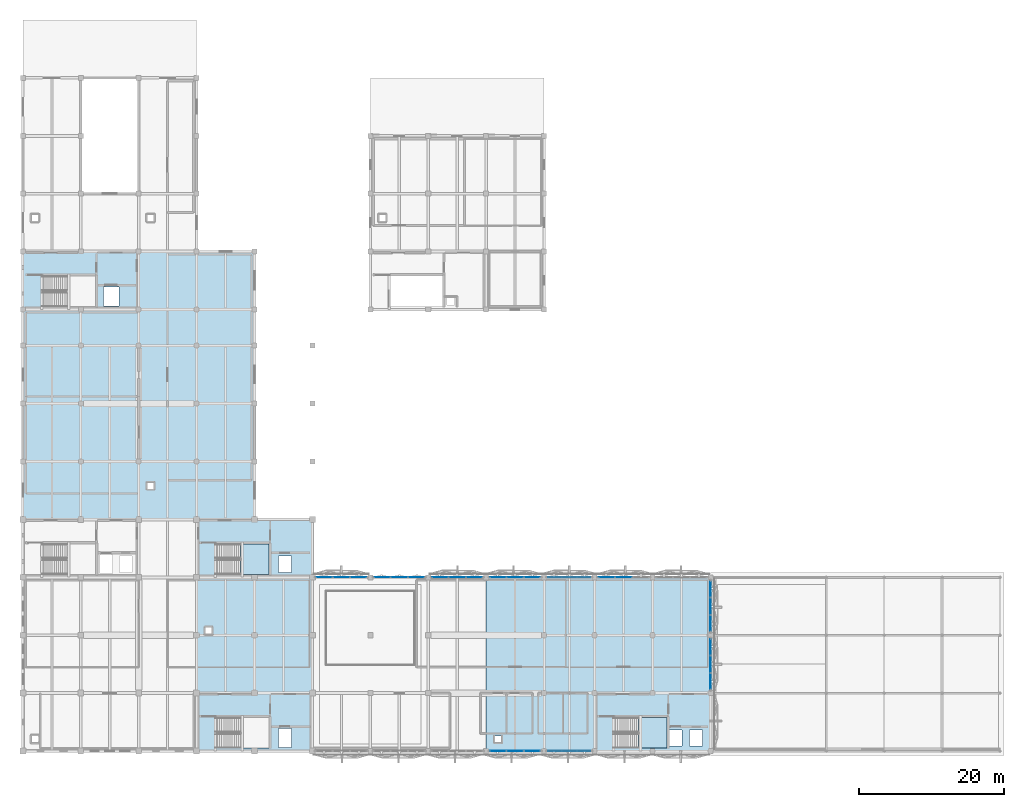
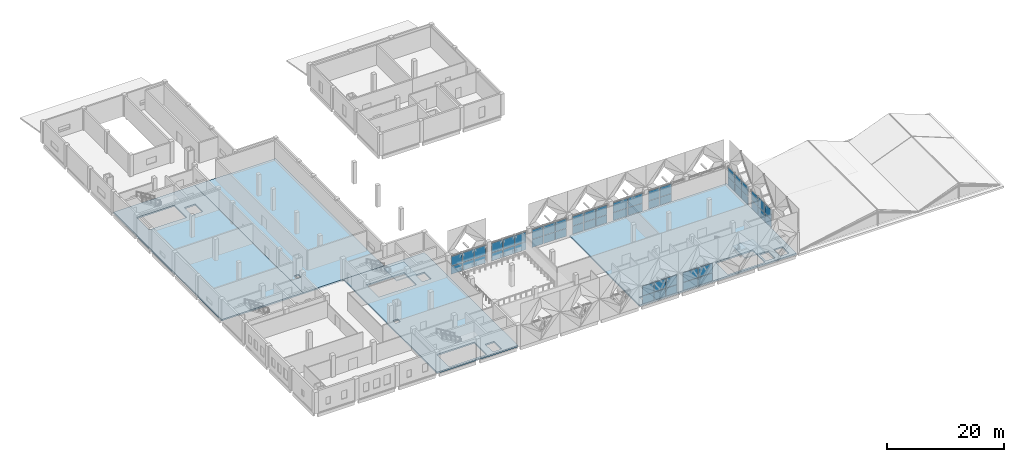
# One storey, part 18 of 37: 54 plates, 6 slabs, 12 elements without a shape of their own.
"""IFC4 building model written with IfcOpenShell, lengths in metres."""

import ifcopenshell
import ifcopenshell.guid

model = None  # the IFC model being written
_history = None  # IfcOwnerHistory: only IFC2X3 demands one
_inside = {}  # id of a spatial element -> (the spatial element, [elements in it])
_under = {}  # id of a project, library or spatial element -> (it, [spatial elements below it])
_declared = {}  # id of a project -> (the project, [libraries it declares])
_typed = {}  # id of a type object -> (the type object, [elements of that type])
_made_of = {}  # id of a material, layer set ... -> (it, [elements and type objects made of it])


def new_model(schema):
    """Start an empty IFC model of exactly this schema.

    Asked for "IFC4X3", IfcOpenShell would pick the latest addendum, in which some entities
    have other attributes; the version numbers below select the first issue.
    IFC2X3 requires an IfcOwnerHistory on every rooted entity: one is made here for all.
    """
    global model, _history
    if schema == "IFC4X3":
        model = ifcopenshell.file(schema_version=(4, 3, 0, 0))
    else:
        model = ifcopenshell.file(schema=schema)
    _inside.clear()
    _under.clear()
    _declared.clear()
    _typed.clear()
    _made_of.clear()
    _history = None
    if model.schema == "IFC2X3":
        org = make("IfcOrganization", Name="unknown")
        user = make(
            "IfcPersonAndOrganization",
            ThePerson=make("IfcPerson", FamilyName="unknown"),
            TheOrganization=org,
        )
        app = make(
            "IfcApplication",
            ApplicationDeveloper=org,
            Version="unknown",
            ApplicationFullName="unknown",
            ApplicationIdentifier="unknown",
        )
        _history = make(
            "IfcOwnerHistory",
            OwningUser=user,
            OwningApplication=app,
            ChangeAction="ADDED",
            CreationDate=0,
        )
    return model


def make(cls, **values):
    """One entity of the class cls with the attributes given. An attribute that is None is left unset."""
    return model.create_entity(
        cls, **{name: value for name, value in values.items() if value is not None}
    )


def rooted(cls, **values):
    """An entity with a GlobalId (a new one), such as an element, a storey or a relation."""
    return make(cls, GlobalId=ifcopenshell.guid.new(), OwnerHistory=_history, **values)


def si_unit(unit_type, name, prefix=None):
    """IfcSIUnit, for example si_unit("LENGTHUNIT", "METRE", prefix="MILLI")."""
    return make("IfcSIUnit", UnitType=unit_type, Prefix=prefix, Name=name)


def assignment(units):
    """IfcUnitAssignment: the units of a project."""
    return None if units is None else make("IfcUnitAssignment", Units=units)


def point(xyz):
    """IfcCartesianPoint."""
    return None if xyz is None else make("IfcCartesianPoint", Coordinates=xyz)


def direction(xyz):
    """IfcDirection."""
    return None if xyz is None else make("IfcDirection", DirectionRatios=xyz)


def frame(location, z_axis=None, x_axis=None):
    """IfcAxis2Placement3D, a coordinate frame: its origin and axes. An axis left out is left unset."""
    return make(
        "IfcAxis2Placement3D",
        Location=point(location),
        Axis=direction(z_axis),
        RefDirection=direction(x_axis),
    )


def frame_2d(location, x_axis=None):
    """IfcAxis2Placement2D, a coordinate frame in the plane: its origin and x axis."""
    return make(
        "IfcAxis2Placement2D", Location=point(location), RefDirection=direction(x_axis)
    )


def origin():
    """The frame at (0, 0, 0) with its axes left unset."""
    return frame((0.0, 0.0, 0.0))


def origin_2d():
    """The frame at (0, 0) in the plane with its x axis left unset."""
    return frame_2d((0.0, 0.0))


def place(relative_to, where):
    """IfcLocalPlacement: puts the frame where relative to a parent placement (None: the world)."""
    return make(
        "IfcLocalPlacement", PlacementRelTo=relative_to, RelativePlacement=where
    )


def context(
    kind, dimensions, precision=None, world=None, true_north=None, identifier=None
):
    """IfcGeometricRepresentationContext, for example the 3D "Model" context."""
    return make(
        "IfcGeometricRepresentationContext",
        ContextIdentifier=identifier,
        ContextType=kind,
        CoordinateSpaceDimension=dimensions,
        Precision=precision,
        WorldCoordinateSystem=world,
        TrueNorth=true_north,
    )


def subcontext(parent, identifier, kind, view, scale=None):
    """IfcGeometricRepresentationSubContext, for example "Body" below "Model"."""
    return make(
        "IfcGeometricRepresentationSubContext",
        ContextIdentifier=identifier,
        ContextType=kind,
        ParentContext=parent,
        TargetScale=scale,
        TargetView=view,
    )


def project(units=None, contexts=None):
    """IfcProject with its units and contexts."""
    return rooted(
        "IfcProject",
        Name="project",
        RepresentationContexts=contexts,
        UnitsInContext=assignment(units),
    )


def spatial(cls, under=None, at=None, **own):
    """A site, building, storey or space (cls), placed at a placement, below another one or the project."""
    s = rooted(cls, ObjectPlacement=at, **own)
    if under is not None:
        _under.setdefault(under.id(), (under, []))[1].append(s)
    return s


def polyline(points):
    """IfcPolyline through the points."""
    return make("IfcPolyline", Points=[point(p) for p in points])


def profile(cls, at=None, kind="AREA", **sizes):
    """A parametric profile (cls). Its sizes go by their IFC names, for example OverallWidth=200.0."""
    return make(cls, ProfileType=kind, Position=at, **sizes)


def rectangle(**sizes):
    """IfcRectangleProfileDef."""
    return profile("IfcRectangleProfileDef", **sizes)


def outline(outer, holes=None, kind="AREA"):
    """IfcArbitraryClosedProfileDef: a profile drawn as a closed curve; with holes, ...WithVoids."""
    if holes is None:
        return make("IfcArbitraryClosedProfileDef", ProfileType=kind, OuterCurve=outer)
    return make(
        "IfcArbitraryProfileDefWithVoids",
        ProfileType=kind,
        OuterCurve=outer,
        InnerCurves=holes,
    )


def extrude(swept, where, along, depth):
    """IfcExtrudedAreaSolid: the profile swept, set in the frame where, extruded along a direction by depth."""
    return make(
        "IfcExtrudedAreaSolid",
        SweptArea=swept,
        Position=where,
        ExtrudedDirection=direction(along),
        Depth=depth,
    )


def shape(context_of_items, identifier, shape_type, items):
    """IfcShapeRepresentation: the items that make up one representation, for example the "Body"."""
    return make(
        "IfcShapeRepresentation",
        ContextOfItems=context_of_items,
        RepresentationIdentifier=identifier,
        RepresentationType=shape_type,
        Items=items,
    )


def material(Name=None, Category=None):
    """IfcMaterial."""
    return make("IfcMaterial", Name=Name, Category=Category)


def layer(
    of_material, thickness, ventilated=None, Name=None, Category=None, Priority=None
):
    """IfcMaterialLayer: one layer of a wall or slab, of a material (None: an air gap)."""
    return make(
        "IfcMaterialLayer",
        Material=of_material,
        LayerThickness=thickness,
        IsVentilated=ventilated,
        Name=Name,
        Category=Category,
        Priority=Priority,
    )


def layer_set(layers, Name=None):
    """IfcMaterialLayerSet."""
    return make("IfcMaterialLayerSet", MaterialLayers=layers, LayerSetName=Name)


def made_of(thing, what):
    """Note that an element or type object is made of a material, layer set ...; save() writes the relation."""
    if what is not None:
        _made_of.setdefault(what.id(), (what, []))[1].append(thing)
    return thing


def type_object(cls, material=None, **own):
    """A type object (cls), such as IfcWallType, which elements share."""
    return made_of(rooted(cls, **own), material)


def element(
    cls,
    number,
    at=None,
    inside=None,
    cuts=None,
    type_object=None,
    material=None,
    context=None,
    identifier="Body",
    shape_type=None,
    held_by="IfcProductDefinitionShape",
    body=None,
    shapes=None,
    **own,
):
    """One element of the class cls, such as IfcWall. Its Tag is "e" and its number.

    at: its placement. inside: the storey or other place that contains it. cuts: it is an
    opening in that element (IfcRelVoidsElement). A single representation is given by context,
    identifier, shape_type and body (its items); several are given by shapes. held_by: the class
    of the entity that holds the representations. save() writes the other relations.
    """
    e = rooted(cls, Tag="e%d" % number, ObjectPlacement=at, **own)
    if body is not None:
        shapes = [shape(context, identifier, shape_type, body)]
    if shapes is not None:
        e.Representation = make(held_by, Representations=shapes)
    if inside is not None:
        _inside.setdefault(inside.id(), (inside, []))[1].append(e)
    if cuts is not None:
        rooted(
            "IfcRelVoidsElement", RelatingBuildingElement=cuts, RelatedOpeningElement=e
        )
    if type_object is not None:
        _typed.setdefault(type_object.id(), (type_object, []))[1].append(e)
    return made_of(e, material)


def aggregate(whole, parts):
    """IfcRelAggregates: a whole, such as a stair, and the parts it consists of."""
    return rooted("IfcRelAggregates", RelatingObject=whole, RelatedObjects=parts)


def save(model, path):
    """Write the relations noted so far, then the file.

    IfcRelAggregates (storeys below a building ...), IfcRelContainedInSpatialStructure (elements
    in a storey), IfcRelDefinesByType, IfcRelAssociatesMaterial and IfcRelDeclares: one each for
    every whole, place, type object, material and project.
    """
    for whole, parts in _under.values():
        aggregate(whole, parts)
    for where, things in _inside.values():
        rooted(
            "IfcRelContainedInSpatialStructure",
            RelatedElements=things,
            RelatingStructure=where,
        )
    for kind, things in _typed.values():
        rooted("IfcRelDefinesByType", RelatedObjects=things, RelatingType=kind)
    for what, things in _made_of.values():
        rooted("IfcRelAssociatesMaterial", RelatedObjects=things, RelatingMaterial=what)
    for by, libraries in _declared.values():
        rooted("IfcRelDeclares", RelatingContext=by, RelatedDefinitions=libraries)
    model.write(path)


model = new_model("IFC4")

# Units and contexts
model_context = context("Model", 3, precision=1e-05, world=origin(), true_north=direction((0.0, 1.0)))
body_context = subcontext(model_context, "Body", "Model", "MODEL_VIEW")
ifc_project = project(units=[si_unit("LENGTHUNIT", "METRE"), si_unit("AREAUNIT", "SQUARE_METRE"), si_unit("VOLUMEUNIT", "CUBIC_METRE"), si_unit("PLANEANGLEUNIT", "RADIAN"), si_unit("MASSUNIT", "GRAM", prefix="KILO")], contexts=[model_context])

# Site, building, storey
site_placement = place(None, origin())
site = spatial("IfcSite", under=ifc_project, at=site_placement, CompositionType="ELEMENT")
building_placement = place(site_placement, origin())
building = spatial("IfcBuilding", under=site, at=building_placement, Name="Qorikala Patio Media Centre", CompositionType="ELEMENT")
storey_placement = place(building_placement, frame((0.0, 0.0, 14.39990234375)))
storey = spatial("IfcBuildingStorey", under=building, at=storey_placement, Name="L03", CompositionType="ELEMENT", Elevation=14.39990234375)

# Curtain wall, plates
ifc_material_1 = material(Name="Golden Bronze Anodised Aluminium and Low-E Glass", Category="aluminium")
ifc_layer_1 = layer(ifc_material_1, 0.159912109375)
ifc_layer_set_1 = layer_set([ifc_layer_1], Name="Golden Bronze Anodised Aluminium and Low-E Glass")
curtain_wall_type_1 = type_object("IfcCurtainWallType", Name="CW-DIA-696X385", PredefinedType="USERDEFINED", material=ifc_layer_set_1)
curtain_wall_1_placement = place(storey_placement, origin())
curtain_wall_1 = element("IfcCurtainWall", 1, at=curtain_wall_1_placement, inside=storey, type_object=curtain_wall_type_1, Name="L03 Courtyard Curtain Wall 064", ObjectType="COURTYARD CURTAIN WALL", PredefinedType="USERDEFINED")
ifc_material_2 = material(Name="Solar-Control Diamond Facet Glass", Category="glass")
ifc_layer_2 = layer(ifc_material_2, 0.035888671875)
ifc_layer_set_2 = layer_set([ifc_layer_2], Name="Solar-Control Diamond Facet Glass")
plate_type = type_object("IfcPlateType", Name="CWP-36", PredefinedType="CURTAIN_PANEL", material=ifc_layer_set_2)
plate_1_placement = place(storey_placement, frame((98.0, 25.3037109375, 0.06494140625), z_axis=(0.0, 0.0, 1.0), x_axis=(0.0, -1.0, 0.0)))
plate_1 = element("IfcPlate", 2, at=plate_1_placement, type_object=plate_type, Name="CWD696385 panel 1.1", PredefinedType="CURTAIN_PANEL", context=body_context, shape_type="SweptSolid", body=[
    extrude(rectangle(XDim=2.222412109375, YDim=0.035888671875, at=origin_2d()), origin(), (0.0, 0.0, 1.0), 1.635009765625),
])
plate_2_placement = place(storey_placement, frame((98.0, 25.3037109375, 1.76513671875), z_axis=(0.0, 0.0, 1.0), x_axis=(0.0, -1.0, 0.0)))
plate_2 = element("IfcPlate", 3, at=plate_2_placement, type_object=plate_type, Name="CWD696385 panel 1.2", PredefinedType="CURTAIN_PANEL", context=body_context, shape_type="SweptSolid", body=[
    extrude(rectangle(XDim=2.222412109375, YDim=0.035888671875, at=origin_2d()), origin(), (0.0, 0.0, 1.0), 2.02001953125),
])
plate_3_placement = place(storey_placement, frame((98.0, 23.0, 0.06494140625), z_axis=(0.0, 0.0, 1.0), x_axis=(0.0, -1.0, 0.0)))
plate_3 = element("IfcPlate", 4, at=plate_3_placement, type_object=plate_type, Name="CWD696385 panel 2.1", PredefinedType="CURTAIN_PANEL", context=body_context, shape_type="SweptSolid", body=[
    extrude(rectangle(XDim=2.2548828125, YDim=0.035888671875, at=origin_2d()), origin(), (0.0, 0.0, 1.0), 1.635009765625),
])
plate_4_placement = place(storey_placement, frame((98.0, 23.0, 1.76513671875), z_axis=(0.0, 0.0, 1.0), x_axis=(0.0, -1.0, 0.0)))
plate_4 = element("IfcPlate", 5, at=plate_4_placement, type_object=plate_type, Name="CWD696385 panel 2.2", PredefinedType="CURTAIN_PANEL", context=body_context, shape_type="SweptSolid", body=[
    extrude(rectangle(XDim=2.2548828125, YDim=0.035888671875, at=origin_2d()), origin(), (0.0, 0.0, 1.0), 2.02001953125),
])
plate_5_placement = place(storey_placement, frame((98.0, 20.6962890625, 0.06494140625), z_axis=(0.0, 0.0, 1.0), x_axis=(0.0, -1.0, 0.0)))
plate_5 = element("IfcPlate", 6, at=plate_5_placement, type_object=plate_type, Name="CWD696385 panel 3.1", PredefinedType="CURTAIN_PANEL", context=body_context, shape_type="SweptSolid", body=[
    extrude(rectangle(XDim=2.222412109375, YDim=0.035888671875, at=origin_2d()), origin(), (0.0, 0.0, 1.0), 1.635009765625),
])
plate_6_placement = place(storey_placement, frame((98.0, 20.6962890625, 1.76513671875), z_axis=(0.0, 0.0, 1.0), x_axis=(0.0, -1.0, 0.0)))
plate_6 = element("IfcPlate", 7, at=plate_6_placement, type_object=plate_type, Name="CWD696385 panel 3.2", PredefinedType="CURTAIN_PANEL", context=body_context, shape_type="SweptSolid", body=[
    extrude(rectangle(XDim=2.222412109375, YDim=0.035888671875, at=origin_2d()), origin(), (0.0, 0.0, 1.0), 2.02001953125),
])
aggregate(curtain_wall_1, [plate_1, plate_2, plate_3, plate_4, plate_5, plate_6])

curtain_wall_2_placement = place(storey_placement, origin())
curtain_wall_2 = element("IfcCurtainWall", 8, at=curtain_wall_2_placement, inside=storey, type_object=curtain_wall_type_1, Name="L03 Courtyard Curtain Wall 065", ObjectType="COURTYARD CURTAIN WALL", PredefinedType="USERDEFINED")
plate_7_placement = place(storey_placement, frame((98.0, 17.3037109375, 0.06494140625), z_axis=(0.0, 0.0, 1.0), x_axis=(0.0, -1.0, 0.0)))
plate_7 = element("IfcPlate", 9, at=plate_7_placement, type_object=plate_type, Name="CWD696385 panel 1.1", PredefinedType="CURTAIN_PANEL", context=body_context, shape_type="SweptSolid", body=[
    extrude(rectangle(XDim=2.222412109375, YDim=0.035888671875, at=origin_2d()), origin(), (0.0, 0.0, 1.0), 1.635009765625),
])
plate_8_placement = place(storey_placement, frame((98.0, 17.3037109375, 1.76513671875), z_axis=(0.0, 0.0, 1.0), x_axis=(0.0, -1.0, 0.0)))
plate_8 = element("IfcPlate", 10, at=plate_8_placement, type_object=plate_type, Name="CWD696385 panel 1.2", PredefinedType="CURTAIN_PANEL", context=body_context, shape_type="SweptSolid", body=[
    extrude(rectangle(XDim=2.222412109375, YDim=0.035888671875, at=origin_2d()), origin(), (0.0, 0.0, 1.0), 2.02001953125),
])
plate_9_placement = place(storey_placement, frame((98.0, 15.0, 0.06494140625), z_axis=(0.0, 0.0, 1.0), x_axis=(0.0, -1.0, 0.0)))
plate_9 = element("IfcPlate", 11, at=plate_9_placement, type_object=plate_type, Name="CWD696385 panel 2.1", PredefinedType="CURTAIN_PANEL", context=body_context, shape_type="SweptSolid", body=[
    extrude(rectangle(XDim=2.2548828125, YDim=0.035888671875, at=origin_2d()), origin(), (0.0, 0.0, 1.0), 1.635009765625),
])
plate_10_placement = place(storey_placement, frame((98.0, 15.0, 1.76513671875), z_axis=(0.0, 0.0, 1.0), x_axis=(0.0, -1.0, 0.0)))
plate_10 = element("IfcPlate", 12, at=plate_10_placement, type_object=plate_type, Name="CWD696385 panel 2.2", PredefinedType="CURTAIN_PANEL", context=body_context, shape_type="SweptSolid", body=[
    extrude(rectangle(XDim=2.2548828125, YDim=0.035888671875, at=origin_2d()), origin(), (0.0, 0.0, 1.0), 2.02001953125),
])
plate_11_placement = place(storey_placement, frame((98.0, 12.6962890625, 0.06494140625), z_axis=(0.0, 0.0, 1.0), x_axis=(0.0, -1.0, 0.0)))
plate_11 = element("IfcPlate", 13, at=plate_11_placement, type_object=plate_type, Name="CWD696385 panel 3.1", PredefinedType="CURTAIN_PANEL", context=body_context, shape_type="SweptSolid", body=[
    extrude(rectangle(XDim=2.222412109375, YDim=0.035888671875, at=origin_2d()), origin(), (0.0, 0.0, 1.0), 1.635009765625),
])
plate_12_placement = place(storey_placement, frame((98.0, 12.6962890625, 1.76513671875), z_axis=(0.0, 0.0, 1.0), x_axis=(0.0, -1.0, 0.0)))
plate_12 = element("IfcPlate", 14, at=plate_12_placement, type_object=plate_type, Name="CWD696385 panel 3.2", PredefinedType="CURTAIN_PANEL", context=body_context, shape_type="SweptSolid", body=[
    extrude(rectangle(XDim=2.222412109375, YDim=0.035888671875, at=origin_2d()), origin(), (0.0, 0.0, 1.0), 2.02001953125),
])
aggregate(curtain_wall_2, [plate_7, plate_8, plate_9, plate_10, plate_11, plate_12])

ifc_layer_3 = layer(ifc_material_1, 0.159912109375)
ifc_layer_set_3 = layer_set([ifc_layer_3], Name="Golden Bronze Anodised Aluminium and Low-E Glass")
curtain_wall_type_2 = type_object("IfcCurtainWallType", Name="CW-DIA-596X385", PredefinedType="USERDEFINED", material=ifc_layer_set_3)
curtain_wall_3_placement = place(storey_placement, origin())
curtain_wall_3 = element("IfcCurtainWall", 15, at=curtain_wall_3_placement, inside=storey, type_object=curtain_wall_type_2, Name="L03 Courtyard Curtain Wall 066", ObjectType="COURTYARD CURTAIN WALL", PredefinedType="USERDEFINED")
plate_13_placement = place(storey_placement, frame((79.9736328125, 3.0, 0.06494140625), z_axis=(0.0, 0.0, 1.0), x_axis=(-1.0, 0.0, 0.0)))
plate_13 = element("IfcPlate", 16, at=plate_13_placement, type_object=plate_type, Name="CWD596385 panel 1.1", PredefinedType="CURTAIN_PANEL", context=body_context, shape_type="SweptSolid", body=[
    extrude(rectangle(XDim=2.882568359375, YDim=0.035888671875, at=origin_2d()), origin(), (0.0, 0.0, 1.0), 1.635009765625),
])
plate_14_placement = place(storey_placement, frame((79.9736328125, 3.0, 1.76513671875), z_axis=(0.0, 0.0, 1.0), x_axis=(-1.0, 0.0, 0.0)))
plate_14 = element("IfcPlate", 17, at=plate_14_placement, type_object=plate_type, Name="CWD596385 panel 1.2", PredefinedType="CURTAIN_PANEL", context=body_context, shape_type="SweptSolid", body=[
    extrude(rectangle(XDim=2.882568359375, YDim=0.035888671875, at=origin_2d()), origin(), (0.0, 0.0, 1.0), 2.02001953125),
])
plate_15_placement = place(storey_placement, frame((77.0263671875, 3.0, 0.06494140625), z_axis=(0.0, 0.0, 1.0), x_axis=(-1.0, 0.0, 0.0)))
plate_15 = element("IfcPlate", 18, at=plate_15_placement, type_object=plate_type, Name="CWD596385 panel 2.1", PredefinedType="CURTAIN_PANEL", context=body_context, shape_type="SweptSolid", body=[
    extrude(rectangle(XDim=2.882568359375, YDim=0.035888671875, at=origin_2d()), origin(), (0.0, 0.0, 1.0), 1.635009765625),
])
plate_16_placement = place(storey_placement, frame((77.0263671875, 3.0, 1.76513671875), z_axis=(0.0, 0.0, 1.0), x_axis=(-1.0, 0.0, 0.0)))
plate_16 = element("IfcPlate", 19, at=plate_16_placement, type_object=plate_type, Name="CWD596385 panel 2.2", PredefinedType="CURTAIN_PANEL", context=body_context, shape_type="SweptSolid", body=[
    extrude(rectangle(XDim=2.882568359375, YDim=0.035888671875, at=origin_2d()), origin(), (0.0, 0.0, 1.0), 2.02001953125),
])
aggregate(curtain_wall_3, [plate_13, plate_14, plate_15, plate_16])

curtain_wall_4_placement = place(storey_placement, origin())
curtain_wall_4 = element("IfcCurtainWall", 20, at=curtain_wall_4_placement, inside=storey, type_object=curtain_wall_type_1, Name="L03 Courtyard Curtain Wall 067", ObjectType="COURTYARD CURTAIN WALL", PredefinedType="USERDEFINED")
plate_17_placement = place(storey_placement, frame((73.3037109375, 3.0, 0.06494140625), z_axis=(0.0, 0.0, 1.0), x_axis=(-1.0, 0.0, 0.0)))
plate_17 = element("IfcPlate", 21, at=plate_17_placement, type_object=plate_type, Name="CWD696385 panel 1.1", PredefinedType="CURTAIN_PANEL", context=body_context, shape_type="SweptSolid", body=[
    extrude(rectangle(XDim=2.222412109375, YDim=0.035888671875, at=origin_2d()), origin(), (0.0, 0.0, 1.0), 1.635009765625),
])
plate_18_placement = place(storey_placement, frame((73.3037109375, 3.0, 1.76513671875), z_axis=(0.0, 0.0, 1.0), x_axis=(-1.0, 0.0, 0.0)))
plate_18 = element("IfcPlate", 22, at=plate_18_placement, type_object=plate_type, Name="CWD696385 panel 1.2", PredefinedType="CURTAIN_PANEL", context=body_context, shape_type="SweptSolid", body=[
    extrude(rectangle(XDim=2.222412109375, YDim=0.035888671875, at=origin_2d()), origin(), (0.0, 0.0, 1.0), 2.02001953125),
])
plate_19_placement = place(storey_placement, frame((71.0, 3.0, 0.06494140625), z_axis=(0.0, 0.0, 1.0), x_axis=(-1.0, 0.0, 0.0)))
plate_19 = element("IfcPlate", 23, at=plate_19_placement, type_object=plate_type, Name="CWD696385 panel 2.1", PredefinedType="CURTAIN_PANEL", context=body_context, shape_type="SweptSolid", body=[
    extrude(rectangle(XDim=2.2548828125, YDim=0.035888671875, at=origin_2d()), origin(), (0.0, 0.0, 1.0), 1.635009765625),
])
plate_20_placement = place(storey_placement, frame((71.0, 3.0, 1.76513671875), z_axis=(0.0, 0.0, 1.0), x_axis=(-1.0, 0.0, 0.0)))
plate_20 = element("IfcPlate", 24, at=plate_20_placement, type_object=plate_type, Name="CWD696385 panel 2.2", PredefinedType="CURTAIN_PANEL", context=body_context, shape_type="SweptSolid", body=[
    extrude(rectangle(XDim=2.2548828125, YDim=0.035888671875, at=origin_2d()), origin(), (0.0, 0.0, 1.0), 2.02001953125),
])
plate_21_placement = place(storey_placement, frame((68.6962890625, 3.0, 0.06494140625), z_axis=(0.0, 0.0, 1.0), x_axis=(-1.0, 0.0, 0.0)))
plate_21 = element("IfcPlate", 25, at=plate_21_placement, type_object=plate_type, Name="CWD696385 panel 3.1", PredefinedType="CURTAIN_PANEL", context=body_context, shape_type="SweptSolid", body=[
    extrude(rectangle(XDim=2.222412109375, YDim=0.035888671875, at=origin_2d()), origin(), (0.0, 0.0, 1.0), 1.635009765625),
])
plate_22_placement = place(storey_placement, frame((68.6962890625, 3.0, 1.76513671875), z_axis=(0.0, 0.0, 1.0), x_axis=(-1.0, 0.0, 0.0)))
plate_22 = element("IfcPlate", 26, at=plate_22_placement, type_object=plate_type, Name="CWD696385 panel 3.2", PredefinedType="CURTAIN_PANEL", context=body_context, shape_type="SweptSolid", body=[
    extrude(rectangle(XDim=2.222412109375, YDim=0.035888671875, at=origin_2d()), origin(), (0.0, 0.0, 1.0), 2.02001953125),
])
aggregate(curtain_wall_4, [plate_17, plate_18, plate_19, plate_20, plate_21, plate_22])

curtain_wall_5_placement = place(storey_placement, origin())
curtain_wall_5 = element("IfcCurtainWall", 27, at=curtain_wall_5_placement, inside=storey, type_object=curtain_wall_type_1, Name="L03 Courtyard Curtain Wall 071", ObjectType="COURTYARD CURTAIN WALL", PredefinedType="USERDEFINED")
plate_23_placement = place(storey_placement, frame((44.6962890625, 27.0, 0.06494140625), z_axis=(0.0, 0.0, 1.0), x_axis=(1.0, 0.0, 0.0)))
plate_23 = element("IfcPlate", 28, at=plate_23_placement, type_object=plate_type, Name="CWD696385 panel 1.1", PredefinedType="CURTAIN_PANEL", context=body_context, shape_type="SweptSolid", body=[
    extrude(rectangle(XDim=2.222412109375, YDim=0.035888671875, at=origin_2d()), origin(), (0.0, 0.0, 1.0), 1.635009765625),
])
plate_24_placement = place(storey_placement, frame((44.6962890625, 27.0, 1.76513671875), z_axis=(0.0, 0.0, 1.0), x_axis=(1.0, 0.0, 0.0)))
plate_24 = element("IfcPlate", 29, at=plate_24_placement, type_object=plate_type, Name="CWD696385 panel 1.2", PredefinedType="CURTAIN_PANEL", context=body_context, shape_type="SweptSolid", body=[
    extrude(rectangle(XDim=2.222412109375, YDim=0.035888671875, at=origin_2d()), origin(), (0.0, 0.0, 1.0), 2.02001953125),
])
plate_25_placement = place(storey_placement, frame((47.0, 27.0, 0.06494140625), z_axis=(0.0, 0.0, 1.0), x_axis=(1.0, 0.0, 0.0)))
plate_25 = element("IfcPlate", 30, at=plate_25_placement, type_object=plate_type, Name="CWD696385 panel 2.1", PredefinedType="CURTAIN_PANEL", context=body_context, shape_type="SweptSolid", body=[
    extrude(rectangle(XDim=2.2548828125, YDim=0.035888671875, at=origin_2d()), origin(), (0.0, 0.0, 1.0), 1.635009765625),
])
plate_26_placement = place(storey_placement, frame((47.0, 27.0, 1.76513671875), z_axis=(0.0, 0.0, 1.0), x_axis=(1.0, 0.0, 0.0)))
plate_26 = element("IfcPlate", 31, at=plate_26_placement, type_object=plate_type, Name="CWD696385 panel 2.2", PredefinedType="CURTAIN_PANEL", context=body_context, shape_type="SweptSolid", body=[
    extrude(rectangle(XDim=2.2548828125, YDim=0.035888671875, at=origin_2d()), origin(), (0.0, 0.0, 1.0), 2.02001953125),
])
plate_27_placement = place(storey_placement, frame((49.3037109375, 27.0, 0.06494140625), z_axis=(0.0, 0.0, 1.0), x_axis=(1.0, 0.0, 0.0)))
plate_27 = element("IfcPlate", 32, at=plate_27_placement, type_object=plate_type, Name="CWD696385 panel 3.1", PredefinedType="CURTAIN_PANEL", context=body_context, shape_type="SweptSolid", body=[
    extrude(rectangle(XDim=2.222412109375, YDim=0.035888671875, at=origin_2d()), origin(), (0.0, 0.0, 1.0), 1.635009765625),
])
plate_28_placement = place(storey_placement, frame((49.3037109375, 27.0, 1.76513671875), z_axis=(0.0, 0.0, 1.0), x_axis=(1.0, 0.0, 0.0)))
plate_28 = element("IfcPlate", 33, at=plate_28_placement, type_object=plate_type, Name="CWD696385 panel 3.2", PredefinedType="CURTAIN_PANEL", context=body_context, shape_type="SweptSolid", body=[
    extrude(rectangle(XDim=2.222412109375, YDim=0.035888671875, at=origin_2d()), origin(), (0.0, 0.0, 1.0), 2.02001953125),
])
aggregate(curtain_wall_5, [plate_23, plate_24, plate_25, plate_26, plate_27, plate_28])

curtain_wall_6_placement = place(storey_placement, origin())
curtain_wall_6 = element("IfcCurtainWall", 34, at=curtain_wall_6_placement, inside=storey, type_object=curtain_wall_type_1, Name="L03 Courtyard Curtain Wall 072", ObjectType="COURTYARD CURTAIN WALL", PredefinedType="USERDEFINED")
plate_29_placement = place(storey_placement, frame((52.6962890625, 27.0, 0.06494140625), z_axis=(0.0, 0.0, 1.0), x_axis=(1.0, 0.0, 0.0)))
plate_29 = element("IfcPlate", 35, at=plate_29_placement, type_object=plate_type, Name="CWD696385 panel 1.1", PredefinedType="CURTAIN_PANEL", context=body_context, shape_type="SweptSolid", body=[
    extrude(rectangle(XDim=2.222412109375, YDim=0.035888671875, at=origin_2d()), origin(), (0.0, 0.0, 1.0), 1.635009765625),
])
plate_30_placement = place(storey_placement, frame((52.6962890625, 27.0, 1.76513671875), z_axis=(0.0, 0.0, 1.0), x_axis=(1.0, 0.0, 0.0)))
plate_30 = element("IfcPlate", 36, at=plate_30_placement, type_object=plate_type, Name="CWD696385 panel 1.2", PredefinedType="CURTAIN_PANEL", context=body_context, shape_type="SweptSolid", body=[
    extrude(rectangle(XDim=2.222412109375, YDim=0.035888671875, at=origin_2d()), origin(), (0.0, 0.0, 1.0), 2.02001953125),
])
plate_31_placement = place(storey_placement, frame((55.0, 27.0, 0.06494140625), z_axis=(0.0, 0.0, 1.0), x_axis=(1.0, 0.0, 0.0)))
plate_31 = element("IfcPlate", 37, at=plate_31_placement, type_object=plate_type, Name="CWD696385 panel 2.1", PredefinedType="CURTAIN_PANEL", context=body_context, shape_type="SweptSolid", body=[
    extrude(rectangle(XDim=2.2548828125, YDim=0.035888671875, at=origin_2d()), origin(), (0.0, 0.0, 1.0), 1.635009765625),
])
plate_32_placement = place(storey_placement, frame((55.0, 27.0, 1.76513671875), z_axis=(0.0, 0.0, 1.0), x_axis=(1.0, 0.0, 0.0)))
plate_32 = element("IfcPlate", 38, at=plate_32_placement, type_object=plate_type, Name="CWD696385 panel 2.2", PredefinedType="CURTAIN_PANEL", context=body_context, shape_type="SweptSolid", body=[
    extrude(rectangle(XDim=2.2548828125, YDim=0.035888671875, at=origin_2d()), origin(), (0.0, 0.0, 1.0), 2.02001953125),
])
plate_33_placement = place(storey_placement, frame((57.3037109375, 27.0, 0.06494140625), z_axis=(0.0, 0.0, 1.0), x_axis=(1.0, 0.0, 0.0)))
plate_33 = element("IfcPlate", 39, at=plate_33_placement, type_object=plate_type, Name="CWD696385 panel 3.1", PredefinedType="CURTAIN_PANEL", context=body_context, shape_type="SweptSolid", body=[
    extrude(rectangle(XDim=2.222412109375, YDim=0.035888671875, at=origin_2d()), origin(), (0.0, 0.0, 1.0), 1.635009765625),
])
plate_34_placement = place(storey_placement, frame((57.3037109375, 27.0, 1.76513671875), z_axis=(0.0, 0.0, 1.0), x_axis=(1.0, 0.0, 0.0)))
plate_34 = element("IfcPlate", 40, at=plate_34_placement, type_object=plate_type, Name="CWD696385 panel 3.2", PredefinedType="CURTAIN_PANEL", context=body_context, shape_type="SweptSolid", body=[
    extrude(rectangle(XDim=2.222412109375, YDim=0.035888671875, at=origin_2d()), origin(), (0.0, 0.0, 1.0), 2.02001953125),
])
aggregate(curtain_wall_6, [plate_29, plate_30, plate_31, plate_32, plate_33, plate_34])

curtain_wall_7_placement = place(storey_placement, origin())
curtain_wall_7 = element("IfcCurtainWall", 41, at=curtain_wall_7_placement, inside=storey, type_object=curtain_wall_type_1, Name="L03 Courtyard Curtain Wall 073", ObjectType="COURTYARD CURTAIN WALL", PredefinedType="USERDEFINED")
plate_35_placement = place(storey_placement, frame((60.6962890625, 27.0, 0.06494140625), z_axis=(0.0, 0.0, 1.0), x_axis=(1.0, 0.0, 0.0)))
plate_35 = element("IfcPlate", 42, at=plate_35_placement, type_object=plate_type, Name="CWD696385 panel 1.1", PredefinedType="CURTAIN_PANEL", context=body_context, shape_type="SweptSolid", body=[
    extrude(rectangle(XDim=2.222412109375, YDim=0.035888671875, at=origin_2d()), origin(), (0.0, 0.0, 1.0), 1.635009765625),
])
plate_36_placement = place(storey_placement, frame((60.6962890625, 27.0, 1.76513671875), z_axis=(0.0, 0.0, 1.0), x_axis=(1.0, 0.0, 0.0)))
plate_36 = element("IfcPlate", 43, at=plate_36_placement, type_object=plate_type, Name="CWD696385 panel 1.2", PredefinedType="CURTAIN_PANEL", context=body_context, shape_type="SweptSolid", body=[
    extrude(rectangle(XDim=2.222412109375, YDim=0.035888671875, at=origin_2d()), origin(), (0.0, 0.0, 1.0), 2.02001953125),
])
plate_37_placement = place(storey_placement, frame((63.0, 27.0, 0.06494140625), z_axis=(0.0, 0.0, 1.0), x_axis=(1.0, 0.0, 0.0)))
plate_37 = element("IfcPlate", 44, at=plate_37_placement, type_object=plate_type, Name="CWD696385 panel 2.1", PredefinedType="CURTAIN_PANEL", context=body_context, shape_type="SweptSolid", body=[
    extrude(rectangle(XDim=2.2548828125, YDim=0.035888671875, at=origin_2d()), origin(), (0.0, 0.0, 1.0), 1.635009765625),
])
plate_38_placement = place(storey_placement, frame((63.0, 27.0, 1.76513671875), z_axis=(0.0, 0.0, 1.0), x_axis=(1.0, 0.0, 0.0)))
plate_38 = element("IfcPlate", 45, at=plate_38_placement, type_object=plate_type, Name="CWD696385 panel 2.2", PredefinedType="CURTAIN_PANEL", context=body_context, shape_type="SweptSolid", body=[
    extrude(rectangle(XDim=2.2548828125, YDim=0.035888671875, at=origin_2d()), origin(), (0.0, 0.0, 1.0), 2.02001953125),
])
plate_39_placement = place(storey_placement, frame((65.3037109375, 27.0, 0.06494140625), z_axis=(0.0, 0.0, 1.0), x_axis=(1.0, 0.0, 0.0)))
plate_39 = element("IfcPlate", 46, at=plate_39_placement, type_object=plate_type, Name="CWD696385 panel 3.1", PredefinedType="CURTAIN_PANEL", context=body_context, shape_type="SweptSolid", body=[
    extrude(rectangle(XDim=2.222412109375, YDim=0.035888671875, at=origin_2d()), origin(), (0.0, 0.0, 1.0), 1.635009765625),
])
plate_40_placement = place(storey_placement, frame((65.3037109375, 27.0, 1.76513671875), z_axis=(0.0, 0.0, 1.0), x_axis=(1.0, 0.0, 0.0)))
plate_40 = element("IfcPlate", 47, at=plate_40_placement, type_object=plate_type, Name="CWD696385 panel 3.2", PredefinedType="CURTAIN_PANEL", context=body_context, shape_type="SweptSolid", body=[
    extrude(rectangle(XDim=2.222412109375, YDim=0.035888671875, at=origin_2d()), origin(), (0.0, 0.0, 1.0), 2.02001953125),
])
aggregate(curtain_wall_7, [plate_35, plate_36, plate_37, plate_38, plate_39, plate_40])

curtain_wall_8_placement = place(storey_placement, origin())
curtain_wall_8 = element("IfcCurtainWall", 48, at=curtain_wall_8_placement, inside=storey, type_object=curtain_wall_type_1, Name="L03 Courtyard Curtain Wall 074", ObjectType="COURTYARD CURTAIN WALL", PredefinedType="USERDEFINED")
plate_41_placement = place(storey_placement, frame((68.6962890625, 27.0, 0.06494140625), z_axis=(0.0, 0.0, 1.0), x_axis=(1.0, 0.0, 0.0)))
plate_41 = element("IfcPlate", 49, at=plate_41_placement, type_object=plate_type, Name="CWD696385 panel 1.1", PredefinedType="CURTAIN_PANEL", context=body_context, shape_type="SweptSolid", body=[
    extrude(rectangle(XDim=2.222412109375, YDim=0.035888671875, at=origin_2d()), origin(), (0.0, 0.0, 1.0), 1.635009765625),
])
plate_42_placement = place(storey_placement, frame((68.6962890625, 27.0, 1.76513671875), z_axis=(0.0, 0.0, 1.0), x_axis=(1.0, 0.0, 0.0)))
plate_42 = element("IfcPlate", 50, at=plate_42_placement, type_object=plate_type, Name="CWD696385 panel 1.2", PredefinedType="CURTAIN_PANEL", context=body_context, shape_type="SweptSolid", body=[
    extrude(rectangle(XDim=2.222412109375, YDim=0.035888671875, at=origin_2d()), origin(), (0.0, 0.0, 1.0), 2.02001953125),
])
plate_43_placement = place(storey_placement, frame((71.0, 27.0, 0.06494140625), z_axis=(0.0, 0.0, 1.0), x_axis=(1.0, 0.0, 0.0)))
plate_43 = element("IfcPlate", 51, at=plate_43_placement, type_object=plate_type, Name="CWD696385 panel 2.1", PredefinedType="CURTAIN_PANEL", context=body_context, shape_type="SweptSolid", body=[
    extrude(rectangle(XDim=2.2548828125, YDim=0.035888671875, at=origin_2d()), origin(), (0.0, 0.0, 1.0), 1.635009765625),
])
plate_44_placement = place(storey_placement, frame((71.0, 27.0, 1.76513671875), z_axis=(0.0, 0.0, 1.0), x_axis=(1.0, 0.0, 0.0)))
plate_44 = element("IfcPlate", 52, at=plate_44_placement, type_object=plate_type, Name="CWD696385 panel 2.2", PredefinedType="CURTAIN_PANEL", context=body_context, shape_type="SweptSolid", body=[
    extrude(rectangle(XDim=2.2548828125, YDim=0.035888671875, at=origin_2d()), origin(), (0.0, 0.0, 1.0), 2.02001953125),
])
plate_45_placement = place(storey_placement, frame((73.3037109375, 27.0, 0.06494140625), z_axis=(0.0, 0.0, 1.0), x_axis=(1.0, 0.0, 0.0)))
plate_45 = element("IfcPlate", 53, at=plate_45_placement, type_object=plate_type, Name="CWD696385 panel 3.1", PredefinedType="CURTAIN_PANEL", context=body_context, shape_type="SweptSolid", body=[
    extrude(rectangle(XDim=2.222412109375, YDim=0.035888671875, at=origin_2d()), origin(), (0.0, 0.0, 1.0), 1.635009765625),
])
plate_46_placement = place(storey_placement, frame((73.3037109375, 27.0, 1.76513671875), z_axis=(0.0, 0.0, 1.0), x_axis=(1.0, 0.0, 0.0)))
plate_46 = element("IfcPlate", 54, at=plate_46_placement, type_object=plate_type, Name="CWD696385 panel 3.2", PredefinedType="CURTAIN_PANEL", context=body_context, shape_type="SweptSolid", body=[
    extrude(rectangle(XDim=2.222412109375, YDim=0.035888671875, at=origin_2d()), origin(), (0.0, 0.0, 1.0), 2.02001953125),
])
aggregate(curtain_wall_8, [plate_41, plate_42, plate_43, plate_44, plate_45, plate_46])

curtain_wall_9_placement = place(storey_placement, origin())
curtain_wall_9 = element("IfcCurtainWall", 55, at=curtain_wall_9_placement, inside=storey, type_object=curtain_wall_type_2, Name="L03 Courtyard Curtain Wall 075", ObjectType="COURTYARD CURTAIN WALL", PredefinedType="USERDEFINED")
plate_47_placement = place(storey_placement, frame((77.0263671875, 27.0, 0.06494140625), z_axis=(0.0, 0.0, 1.0), x_axis=(1.0, 0.0, 0.0)))
plate_47 = element("IfcPlate", 56, at=plate_47_placement, type_object=plate_type, Name="CWD596385 panel 1.1", PredefinedType="CURTAIN_PANEL", context=body_context, shape_type="SweptSolid", body=[
    extrude(rectangle(XDim=2.882568359375, YDim=0.035888671875, at=origin_2d()), origin(), (0.0, 0.0, 1.0), 1.635009765625),
])
plate_48_placement = place(storey_placement, frame((77.0263671875, 27.0, 1.76513671875), z_axis=(0.0, 0.0, 1.0), x_axis=(1.0, 0.0, 0.0)))
plate_48 = element("IfcPlate", 57, at=plate_48_placement, type_object=plate_type, Name="CWD596385 panel 1.2", PredefinedType="CURTAIN_PANEL", context=body_context, shape_type="SweptSolid", body=[
    extrude(rectangle(XDim=2.882568359375, YDim=0.035888671875, at=origin_2d()), origin(), (0.0, 0.0, 1.0), 2.02001953125),
])
plate_49_placement = place(storey_placement, frame((79.9736328125, 27.0, 0.06494140625), z_axis=(0.0, 0.0, 1.0), x_axis=(1.0, 0.0, 0.0)))
plate_49 = element("IfcPlate", 58, at=plate_49_placement, type_object=plate_type, Name="CWD596385 panel 2.1", PredefinedType="CURTAIN_PANEL", context=body_context, shape_type="SweptSolid", body=[
    extrude(rectangle(XDim=2.882568359375, YDim=0.035888671875, at=origin_2d()), origin(), (0.0, 0.0, 1.0), 1.635009765625),
])
plate_50_placement = place(storey_placement, frame((79.9736328125, 27.0, 1.76513671875), z_axis=(0.0, 0.0, 1.0), x_axis=(1.0, 0.0, 0.0)))
plate_50 = element("IfcPlate", 59, at=plate_50_placement, type_object=plate_type, Name="CWD596385 panel 2.2", PredefinedType="CURTAIN_PANEL", context=body_context, shape_type="SweptSolid", body=[
    extrude(rectangle(XDim=2.882568359375, YDim=0.035888671875, at=origin_2d()), origin(), (0.0, 0.0, 1.0), 2.02001953125),
])
aggregate(curtain_wall_9, [plate_47, plate_48, plate_49, plate_50])

curtain_wall_10_placement = place(storey_placement, origin())
curtain_wall_10 = element("IfcCurtainWall", 60, at=curtain_wall_10_placement, inside=storey, type_object=curtain_wall_type_1, Name="L03 Courtyard Curtain Wall 076", ObjectType="COURTYARD CURTAIN WALL", PredefinedType="USERDEFINED")
plate_51_placement = place(storey_placement, frame((83.6962890625, 27.0, 0.06494140625), z_axis=(0.0, 0.0, 1.0), x_axis=(1.0, 0.0, 0.0)))
plate_51 = element("IfcPlate", 61, at=plate_51_placement, type_object=plate_type, Name="CWD696385 panel 1.1", PredefinedType="CURTAIN_PANEL", context=body_context, shape_type="SweptSolid", body=[
    extrude(rectangle(XDim=2.222412109375, YDim=0.035888671875, at=origin_2d()), origin(), (0.0, 0.0, 1.0), 1.635009765625),
])
plate_52_placement = place(storey_placement, frame((83.6962890625, 27.0, 1.76513671875), z_axis=(0.0, 0.0, 1.0), x_axis=(1.0, 0.0, 0.0)))
plate_52 = element("IfcPlate", 62, at=plate_52_placement, type_object=plate_type, Name="CWD696385 panel 1.2", PredefinedType="CURTAIN_PANEL", context=body_context, shape_type="SweptSolid", body=[
    extrude(rectangle(XDim=2.222412109375, YDim=0.035888671875, at=origin_2d()), origin(), (0.0, 0.0, 1.0), 2.02001953125),
])
plate_53_placement = place(storey_placement, frame((86.0, 27.0, 0.06494140625), z_axis=(0.0, 0.0, 1.0), x_axis=(1.0, 0.0, 0.0)))
plate_53 = element("IfcPlate", 63, at=plate_53_placement, type_object=plate_type, Name="CWD696385 panel 2.1", PredefinedType="CURTAIN_PANEL", context=body_context, shape_type="SweptSolid", body=[
    extrude(rectangle(XDim=2.2548828125, YDim=0.035888671875, at=origin_2d()), origin(), (0.0, 0.0, 1.0), 1.635009765625),
])
plate_54_placement = place(storey_placement, frame((86.0, 27.0, 1.76513671875), z_axis=(0.0, 0.0, 1.0), x_axis=(1.0, 0.0, 0.0)))
plate_54 = element("IfcPlate", 64, at=plate_54_placement, type_object=plate_type, Name="CWD696385 panel 2.2", PredefinedType="CURTAIN_PANEL", context=body_context, shape_type="SweptSolid", body=[
    extrude(rectangle(XDim=2.2548828125, YDim=0.035888671875, at=origin_2d()), origin(), (0.0, 0.0, 1.0), 2.02001953125),
])
aggregate(curtain_wall_10, [plate_51, plate_52, plate_53, plate_54])

# Slabs
ifc_material_3 = material(Name="Concrete C35/45", Category="concrete")
ifc_layer_4 = layer(ifc_material_3, 0.300048828125)
ifc_layer_set_4 = layer_set([ifc_layer_4], Name="Concrete C35/45")
slab_type_1 = type_object("IfcSlabType", Name="SL-FLOOR-300", PredefinedType="FLOOR", material=ifc_layer_set_4)
slab_1_placement = place(storey_placement, frame((0.0, 0.0, -0.2998046875)))
element("IfcSlab", 65, at=slab_1_placement, inside=storey, type_object=slab_type_1, Name="L03 V1B Slab 2.1", PredefinedType="FLOOR", context=body_context, shape_type="SweptSolid", body=[
    extrude(outline(polyline([(43.0, 3.0), (27.0, 3.0), (27.0, 35.0), (43.0, 35.0), (43.0, 3.0)]), holes=[polyline([(29.10009765625, 19.199951171875), (29.10009765625, 20.10009765625), (28.199951171875, 20.10009765625), (28.199951171875, 19.199951171875), (29.10009765625, 19.199951171875)]), polyline([(37.0, 27.39990234375), (37.0, 31.60009765625), (29.60009765625, 31.60009765625), (29.60009765625, 27.39990234375), (37.0, 27.39990234375)]), polyline([(38.320068359375, 3.52001953125), (40.080078125, 3.52001953125), (40.080078125, 6.080078125), (38.320068359375, 6.080078125), (38.320068359375, 3.52001953125)]), polyline([(29.60009765625, 3.39990234375), (37.0, 3.39990234375), (37.0, 7.60009765625), (29.60009765625, 7.60009765625), (29.60009765625, 3.39990234375)]), polyline([(38.320068359375, 27.669921875), (40.080078125, 27.669921875), (40.080078125, 29.929931640625), (38.320068359375, 29.929931640625), (38.320068359375, 27.669921875)])]), origin(), (0.0, 0.0, 1.0), 0.2998046875),
])
slab_2_placement = place(storey_placement, frame((0.0, 0.0, -0.2998046875)))
element("IfcSlab", 66, at=slab_2_placement, inside=storey, type_object=slab_type_1, Name="L03 V2B Slab 4.1", PredefinedType="FLOOR", context=body_context, shape_type="SweptSolid", body=[
    extrude(outline(polyline([(98.0, 3.0), (67.0, 3.0), (67.0, 27.0), (98.0, 27.0), (98.0, 3.0)]), holes=[polyline([(68.199951171875, 4.199951171875), (69.10009765625, 4.199951171875), (69.10009765625, 5.10009765625), (68.199951171875, 5.10009765625), (68.199951171875, 4.199951171875)]), polyline([(94.080078125, 3.669921875), (94.080078125, 5.929931640625), (92.320068359375, 5.929931640625), (92.320068359375, 3.669921875), (94.080078125, 3.669921875)]), polyline([(95.1201171875, 3.669921875), (96.8798828125, 3.669921875), (96.8798828125, 5.929931640625), (95.1201171875, 5.929931640625), (95.1201171875, 3.669921875)]), polyline([(92.0, 3.39990234375), (92.0, 7.60009765625), (84.60009765625, 7.60009765625), (84.60009765625, 3.39990234375), (92.0, 3.39990234375)])]), origin(), (0.0, 0.0, 1.0), 0.2998046875),
])
slab_3_placement = place(storey_placement, frame((0.0, 0.0, -0.2998046875)))
element("IfcSlab", 67, at=slab_3_placement, inside=storey, type_object=slab_type_1, Name="L03 V3A Slab 5.1", PredefinedType="FLOOR", context=body_context, shape_type="SweptSolid", body=[
    extrude(outline(polyline([(19.0, 72.0), (19.0, 35.0), (3.0, 35.0), (3.0, 72.0), (19.0, 72.0)]), holes=[polyline([(14.1201171875, 64.52001953125), (16.280029296875, 64.52001953125), (16.280029296875, 67.080078125), (14.1201171875, 67.080078125), (14.1201171875, 64.52001953125)]), polyline([(13.0, 64.39990234375), (13.0, 68.60009765625), (5.60009765625, 68.60009765625), (5.60009765625, 64.39990234375), (13.0, 64.39990234375)])]), origin(), (0.0, 0.0, 1.0), 0.2998046875),
])
slab_4_placement = place(storey_placement, frame((0.0, 0.0, -0.2998046875)))
element("IfcSlab", 68, at=slab_4_placement, inside=storey, type_object=slab_type_1, Name="L03 V3B Slab 6.1", PredefinedType="FLOOR", context=body_context, shape_type="SweptSolid", body=[
    extrude(outline(polyline([(35.0, 35.0), (27.0, 35.0), (19.0, 35.0), (19.0, 72.0), (35.0, 72.0), (35.0, 35.0)]), holes=[polyline([(20.199951171875, 39.199951171875), (21.10009765625, 39.199951171875), (21.10009765625, 40.10009765625), (20.199951171875, 40.10009765625), (20.199951171875, 39.199951171875)])]), origin(), (0.0, 0.0, 1.0), 0.2998046875),
])

# Stair, slab
ifc_material_4 = material(Name="Precast concrete C40/50", Category="concrete")
stair_type = type_object("IfcStairType", Name="ST-DL-26R173W200", PredefinedType="HALF_TURN_STAIR", material=ifc_material_4)
stair_1_placement = place(storey_placement, origin())
stair_1 = element("IfcStair", 69, at=stair_1_placement, inside=storey, type_object=stair_type, Name="L03 Core C4 Exit Stair ST-4", PredefinedType="HALF_TURN_STAIR")
ifc_layer_5 = layer(ifc_material_4, 0.199951171875)
ifc_layer_set_5 = layer_set([ifc_layer_5], Name="Precast concrete C40/50")
slab_type_2 = type_object("IfcSlabType", Name="SL-LAND-200", PredefinedType="LANDING", material=ifc_layer_set_5)
slab_5_placement = place(storey_placement, frame((0.0, 0.0, 2.050048828125)))
slab_5 = element("IfcSlab", 70, at=slab_5_placement, type_object=slab_type_2, Name="ST-4 landing 1", PredefinedType="LANDING", context=body_context, shape_type="SweptSolid", body=[
    extrude(outline(polyline([(88.080078125, 3.39990234375), (92.0, 3.39990234375), (92.0, 7.60009765625), (88.080078125, 7.60009765625), (88.080078125, 3.39990234375)])), origin(), (0.0, 0.0, 1.0), 0.199951171875),
])
aggregate(stair_1, [slab_5])

stair_2_placement = place(storey_placement, origin())
stair_2 = element("IfcStair", 71, at=stair_2_placement, inside=storey, type_object=stair_type, Name="L03 Core C5 Exit Stair ST-5", PredefinedType="HALF_TURN_STAIR")
slab_6_placement = place(storey_placement, frame((0.0, 0.0, 2.050048828125)))
slab_6 = element("IfcSlab", 72, at=slab_6_placement, type_object=slab_type_2, Name="ST-5 landing 1", PredefinedType="LANDING", context=body_context, shape_type="SweptSolid", body=[
    extrude(outline(polyline([(33.080078125, 27.39990234375), (37.0, 27.39990234375), (37.0, 31.60009765625), (33.080078125, 31.60009765625), (33.080078125, 27.39990234375)])), origin(), (0.0, 0.0, 1.0), 0.199951171875),
])
aggregate(stair_2, [slab_6])

save(model, "model.ifc")
